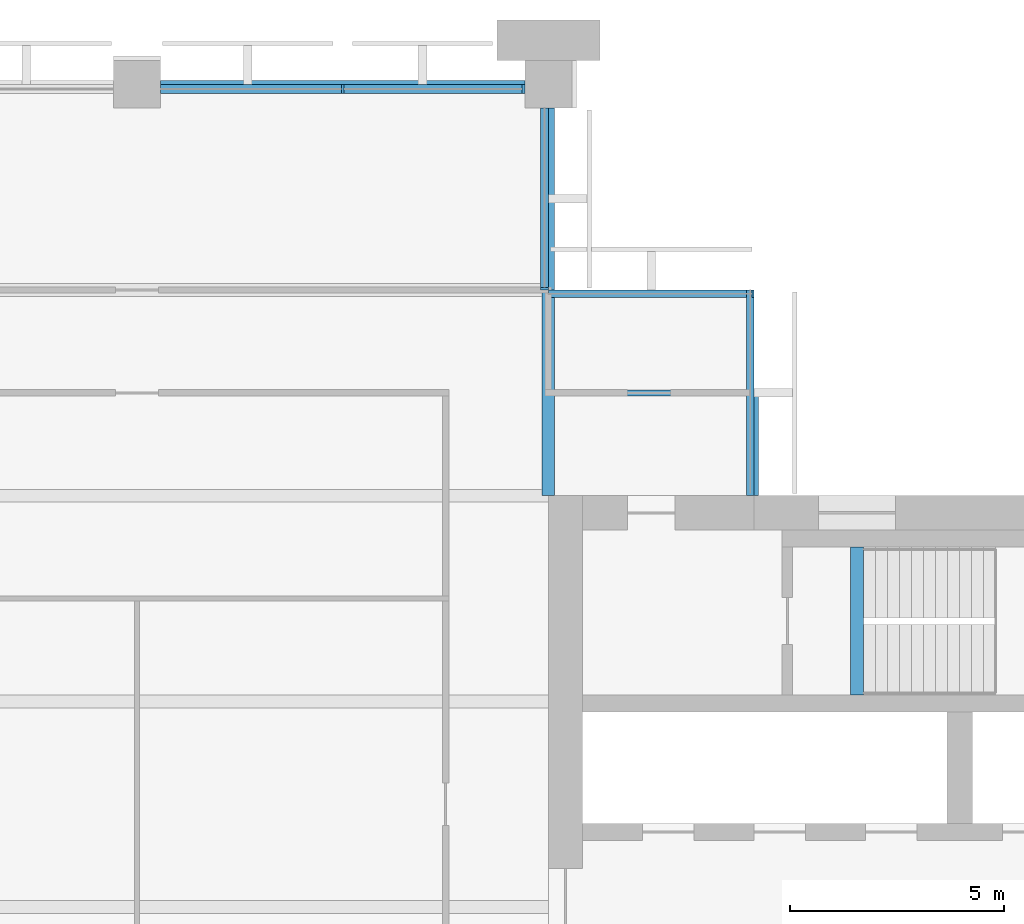
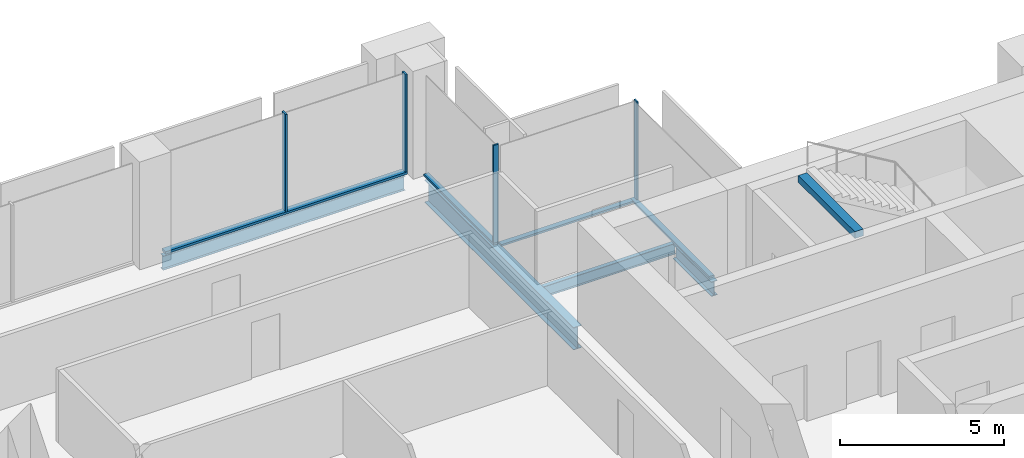
# One storey, part 6 of 13: 8 members, 5 beams, 4 elements without a shape of their own.
"""IFC4 building model written with IfcOpenShell, lengths in metres."""

from ifc_helpers import new_model, si_unit, direction, frame, origin, origin_2d, place, context, subcontext, project, spatial, rectangle, i_section, extrude, material, material_profile, profile_set, type_object, element, aggregate, save


model = new_model("IFC4")

# Units and contexts
model_context = context("Model", 3, precision=1e-05, world=origin(), true_north=direction((0.0, 1.0)))
body_context = subcontext(model_context, "Body", "Model", "MODEL_VIEW")
ifc_project = project(units=[si_unit("LENGTHUNIT", "METRE"), si_unit("AREAUNIT", "SQUARE_METRE"), si_unit("VOLUMEUNIT", "CUBIC_METRE"), si_unit("PLANEANGLEUNIT", "RADIAN"), si_unit("MASSUNIT", "GRAM", prefix="KILO")], contexts=[model_context])

# Site, building, storey
site_placement = place(None, origin())
site = spatial("IfcSite", under=ifc_project, at=site_placement, CompositionType="ELEMENT")
building_placement = place(site_placement, origin())
building = spatial("IfcBuilding", under=site, at=building_placement, Name="Baori Bourse Tower", CompositionType="ELEMENT")
storey_placement = place(building_placement, frame((0.0, 0.0, 261.199951171875)))
storey = spatial("IfcBuildingStorey", under=building, at=storey_placement, Name="L58", CompositionType="ELEMENT", Elevation=261.199951171875)

# Curtain wall, member
ifc_material_1 = material(Name="Pale anodised aluminium", Category="aluminium")
curtain_wall_type_1 = type_object("IfcCurtainWallType", Name="CW2 Curtain wall", PredefinedType="NOTDEFINED", material=ifc_material_1)
curtain_wall_1_placement = place(storey_placement, origin())
curtain_wall_1 = element("IfcCurtainWall", 1, at=curtain_wall_1_placement, inside=storey, type_object=curtain_wall_type_1, Name="Curtain wall CW2 L58 2", PredefinedType="NOTDEFINED")
ifc_material_2 = material(Name="Pale anodised aluminium", Category="aluminium")
ifc_material_profile_1 = material_profile(ifc_material_2, rectangle(XDim=0.179931640625, YDim=0.054931640625, at=origin_2d()), Name="Mullion 55x180")
ifc_profile_set_1 = profile_set([ifc_material_profile_1], Name="Pale anodised aluminium")
member_type_1 = type_object("IfcMemberType", Name="CW2 Curtain wall mullion", PredefinedType="MULLION", material=ifc_profile_set_1)
member_1_placement = place(storey_placement, frame((43.172607421875, 43.110107421875, 0.070068359375), z_axis=(0.0, 0.0, 1.0), x_axis=(0.0, -1.0, 0.0)))
member_1 = element("IfcMember", 2, at=member_1_placement, type_object=member_type_1, Name="Curtain wall CW2 mullion", PredefinedType="MULLION", context=body_context, shape_type="SweptSolid", body=[
    extrude(rectangle(XDim=0.179931640625, YDim=0.054931640625, at=origin_2d()), origin(), (0.0, 0.0, 1.0), 3.6298828125),
])

curtain_wall_2_placement = place(storey_placement, origin())
curtain_wall_2 = element("IfcCurtainWall", 3, at=curtain_wall_2_placement, inside=storey, type_object=curtain_wall_type_1, Name="Curtain wall CW2 L58 3", PredefinedType="NOTDEFINED")
member_2_placement = place(storey_placement, frame((38.31005859375, 43.2275390625, 0.070068359375), z_axis=(0.0, 0.0, 1.0), x_axis=(-1.0, 0.0, 0.0)))
member_2 = element("IfcMember", 4, at=member_2_placement, type_object=member_type_1, Name="Curtain wall CW2 mullion", PredefinedType="MULLION", context=body_context, shape_type="SweptSolid", body=[
    extrude(rectangle(XDim=0.179931640625, YDim=0.054931640625, at=origin_2d()), origin(), (0.0, 0.0, 1.0), 3.6298828125),
])

curtain_wall_3_placement = place(storey_placement, origin())
curtain_wall_3 = element("IfcCurtainWall", 5, at=curtain_wall_3_placement, inside=storey, type_object=curtain_wall_type_1, Name="Curtain wall CW2 L58 1", PredefinedType="NOTDEFINED")
ifc_material_3 = material(Name="Pale anodised aluminium", Category="aluminium")
ifc_material_profile_2 = material_profile(ifc_material_3, rectangle(XDim=0.179931640625, YDim=0.070068359375, at=origin_2d()), Name="Transom 70x180")
ifc_profile_set_2 = profile_set([ifc_material_profile_2], Name="Pale anodised aluminium")
member_type_2 = type_object("IfcMemberType", Name="CW2 Curtain wall transom", PredefinedType="USERDEFINED", material=ifc_profile_set_2)
member_3_placement = place(storey_placement, frame((43.110107421875, 38.39990234375, 0.03515625), z_axis=(0.0, 1.0, 0.0), x_axis=(-1.0, 0.0, 0.0)))
member_3 = element("IfcMember", 6, at=member_3_placement, type_object=member_type_2, Name="Curtain wall CW2 sill rail", ObjectType="TRANSOM", PredefinedType="USERDEFINED", context=body_context, shape_type="SweptSolid", body=[
    extrude(rectangle(XDim=0.179931640625, YDim=0.070068359375, at=origin_2d()), origin(), (0.0, 0.0, 1.0), 4.800048828125),
])
aggregate(curtain_wall_3, [member_3])

# Member
member_4_placement = place(storey_placement, frame((43.199951171875, 43.110107421875, 0.03515625), z_axis=(-1.0, 0.0, 0.0), x_axis=(0.0, -1.0, 0.0)))
member_4 = element("IfcMember", 7, at=member_4_placement, type_object=member_type_2, Name="Curtain wall CW2 sill rail", ObjectType="TRANSOM", PredefinedType="USERDEFINED", context=body_context, shape_type="SweptSolid", body=[
    extrude(rectangle(XDim=0.179931640625, YDim=0.070068359375, at=origin_2d()), origin(), (0.0, 0.0, 1.0), 4.800048828125),
])

aggregate(curtain_wall_1, [member_4, member_1])

member_5_placement = place(storey_placement, frame((38.31005859375, 43.199951171875, 0.03515625), z_axis=(0.0, 1.0, 0.0), x_axis=(-1.0, 0.0, 0.0)))
member_5 = element("IfcMember", 8, at=member_5_placement, type_object=member_type_2, Name="Curtain wall CW2 sill rail", ObjectType="TRANSOM", PredefinedType="USERDEFINED", context=body_context, shape_type="SweptSolid", body=[
    extrude(rectangle(XDim=0.179931640625, YDim=0.070068359375, at=origin_2d()), origin(), (0.0, 0.0, 1.0), 4.25),
])

aggregate(curtain_wall_2, [member_5, member_2])

# Curtain wall, members
ifc_material_4 = material(Name="Pale anodised aluminium", Category="aluminium")
curtain_wall_type_2 = type_object("IfcCurtainWallType", Name="CW5 Curtain wall", PredefinedType="NOTDEFINED", material=ifc_material_4)
curtain_wall_4_placement = place(storey_placement, origin())
curtain_wall_4 = element("IfcCurtainWall", 9, at=curtain_wall_4_placement, inside=storey, type_object=curtain_wall_type_2, Name="Curtain wall CW5 L58 4", PredefinedType="NOTDEFINED")
ifc_material_5 = material(Name="Pale anodised aluminium", Category="aluminium")
ifc_material_profile_3 = material_profile(ifc_material_5, rectangle(XDim=0.219970703125, YDim=0.06494140625, at=origin_2d()), Name="Mullion 65x220")
ifc_profile_set_3 = profile_set([ifc_material_profile_3], Name="Pale anodised aluminium")
member_type_3 = type_object("IfcMemberType", Name="CW5 Curtain wall mullion", PredefinedType="MULLION", material=ifc_profile_set_3)
member_6_placement = place(storey_placement, frame((37.8173828125, 47.889892578125, 0.0849609375), z_axis=(0.0, 0.0, 1.0), x_axis=(0.0, -1.0, 0.0)))
member_6 = element("IfcMember", 10, at=member_6_placement, type_object=member_type_3, Name="Curtain wall CW5 mullion", PredefinedType="MULLION", context=body_context, shape_type="SweptSolid", body=[
    extrude(rectangle(XDim=0.219970703125, YDim=0.06494140625, at=origin_2d()), origin(), (0.0, 0.0, 1.0), 3.614990234375),
])
member_7_placement = place(storey_placement, frame((33.60009765625, 47.889892578125, 0.0849609375), z_axis=(0.0, 0.0, 1.0), x_axis=(0.0, -1.0, 0.0)))
member_7 = element("IfcMember", 11, at=member_7_placement, type_object=member_type_3, Name="Curtain wall CW5 mullion", PredefinedType="MULLION", context=body_context, shape_type="SweptSolid", body=[
    extrude(rectangle(XDim=0.219970703125, YDim=0.06494140625, at=origin_2d()), origin(), (0.0, 0.0, 1.0), 3.614990234375),
])
ifc_material_6 = material(Name="Pale anodised aluminium", Category="aluminium")
ifc_material_profile_4 = material_profile(ifc_material_6, rectangle(XDim=0.219970703125, YDim=0.0849609375, at=origin_2d()), Name="Transom 85x220")
ifc_profile_set_4 = profile_set([ifc_material_profile_4], Name="Pale anodised aluminium")
member_type_4 = type_object("IfcMemberType", Name="CW5 Curtain wall transom", PredefinedType="USERDEFINED", material=ifc_profile_set_4)
member_8_placement = place(storey_placement, frame((37.85009765625, 47.889892578125, 0.04248046875), z_axis=(-1.0, 0.0, 0.0), x_axis=(0.0, -1.0, 0.0)))
member_8 = element("IfcMember", 12, at=member_8_placement, type_object=member_type_4, Name="Curtain wall CW5 sill rail", ObjectType="TRANSOM", PredefinedType="USERDEFINED", context=body_context, shape_type="SweptSolid", body=[
    extrude(rectangle(XDim=0.219970703125, YDim=0.0849609375, at=origin_2d()), origin(), (0.0, 0.0, 1.0), 8.5),
])
aggregate(curtain_wall_4, [member_8, member_6, member_7])

# Beams
ifc_material_7 = material(Name="Steel A992 Gr 50", Category="steel")
ifc_material_profile_5 = material_profile(ifc_material_7, i_section(OverallWidth=0.21240234375, OverallDepth=0.54345703125, WebThickness=0.01318359375, FlangeThickness=0.021240234375, at=origin_2d()), Name="W21x83")
ifc_profile_set_5 = profile_set([ifc_material_profile_5], Name="Steel A992 Gr 50")
beam_type_1 = type_object("IfcBeamType", Name="Core bracket W21x83", PredefinedType="BEAM", material=ifc_profile_set_5)
beam_1_placement = place(storey_placement, frame((43.199951171875, 38.39990234375, -0.431640625), z_axis=(0.0, 1.0, 0.0), x_axis=(-1.0, 0.0, 0.0)))
element("IfcBeam", 13, at=beam_1_placement, inside=storey, type_object=beam_type_1, Name="Core bracket L58", PredefinedType="BEAM", context=body_context, shape_type="SweptSolid", body=[
    extrude(i_section(OverallWidth=0.21240234375, OverallDepth=0.54345703125, WebThickness=0.01318359375, FlangeThickness=0.021240234375, at=origin_2d()), origin(), (0.0, 0.0, 1.0), 2.329833984375),
])
ifc_material_8 = material(Name="Steel A992 Gr 50", Category="steel")
ifc_material_profile_6 = material_profile(ifc_material_8, i_section(OverallWidth=0.1650390625, OverallDepth=0.52587890625, WebThickness=0.0087890625, FlangeThickness=0.011474609375, at=origin_2d()), Name="W21x44")
ifc_profile_set_6 = profile_set([ifc_material_profile_6], Name="Steel A992 Gr 50")
beam_type_2 = type_object("IfcBeamType", Name="Edge beam W21x44", PredefinedType="BEAM", material=ifc_profile_set_6)
beam_2_placement = place(storey_placement, frame((29.35009765625, 48.0, -0.4228515625), z_axis=(1.0, 0.0, 0.0), x_axis=(0.0, 1.0, 0.0)))
element("IfcBeam", 14, at=beam_2_placement, inside=storey, type_object=beam_type_2, Name="Edge beam L58", PredefinedType="BEAM", context=body_context, shape_type="SweptSolid", body=[
    extrude(i_section(OverallWidth=0.1650390625, OverallDepth=0.52587890625, WebThickness=0.0087890625, FlangeThickness=0.011474609375, at=origin_2d()), origin(), (0.0, 0.0, 1.0), 8.5),
])
ifc_material_9 = material(Name="Steel A992 Gr 50", Category="steel")
ifc_material_profile_7 = material_profile(ifc_material_9, i_section(OverallWidth=0.2919921875, OverallDepth=0.835693359375, WebThickness=0.013916015625, FlangeThickness=0.018798828125, at=origin_2d()), Name="W33x118")
ifc_profile_set_7 = profile_set([ifc_material_profile_7], Name="Steel A992 Gr 50")
beam_type_3 = type_object("IfcBeamType", Name="Girder W33x118", PredefinedType="BEAM", material=ifc_profile_set_7)
beam_3_placement = place(storey_placement, frame((38.39990234375, 38.39990234375, -0.577880859375), z_axis=(0.0, 1.0, 0.0), x_axis=(-1.0, 0.0, 0.0)))
element("IfcBeam", 15, at=beam_3_placement, inside=storey, type_object=beam_type_3, Name="Girder L58", PredefinedType="BEAM", context=body_context, shape_type="SweptSolid", body=[
    extrude(i_section(OverallWidth=0.2919921875, OverallDepth=0.835693359375, WebThickness=0.013916015625, FlangeThickness=0.018798828125, at=origin_2d()), origin(), (0.0, 0.0, 1.0), 9.050048828125),
])
ifc_material_10 = material(Name="Concrete f'c 50 MPa", Category="concrete")
ifc_material_profile_8 = material_profile(ifc_material_10, rectangle(XDim=0.300048828125, YDim=0.25, at=origin_2d()), Name="RC 300x250")
ifc_profile_set_8 = profile_set([ifc_material_profile_8], Name="Concrete f'c 50 MPa")
beam_type_4 = type_object("IfcBeamType", Name="Stair nib beam RC 300x250", PredefinedType="BEAM", material=ifc_profile_set_8)
beam_4_placement = place(storey_placement, frame((45.60009765625, 33.75, 3.574951171875), z_axis=(0.0, 1.0, 0.0), x_axis=(-1.0, 0.0, 0.0)))
element("IfcBeam", 16, at=beam_4_placement, inside=storey, type_object=beam_type_4, Name="Stair EB nib beam L59", PredefinedType="BEAM", context=body_context, shape_type="SweptSolid", body=[
    extrude(rectangle(XDim=0.300048828125, YDim=0.25, at=origin_2d()), origin(), (0.0, 0.0, 1.0), 3.449951171875),
])
ifc_material_11 = material(Name="Steel A992 Gr 50", Category="steel")
ifc_material_profile_9 = material_profile(ifc_material_11, i_section(OverallWidth=0.140380859375, OverallDepth=0.40380859375, WebThickness=0.007080078125, FlangeThickness=0.01123046875, at=origin_2d()), Name="W16x31")
ifc_profile_set_9 = profile_set([ifc_material_profile_9], Name="Steel A992 Gr 50")
beam_type_5 = type_object("IfcBeamType", Name="Trimmer beam W16x31", PredefinedType="BEAM", material=ifc_profile_set_9)
beam_5_placement = place(storey_placement, frame((38.546142578125, 40.800048828125, -0.36181640625), z_axis=(1.0, 0.0, 0.0), x_axis=(0.0, 1.0, 0.0)))
element("IfcBeam", 17, at=beam_5_placement, inside=storey, type_object=beam_type_5, Name="Trimmer beam L58", PredefinedType="BEAM", context=body_context, shape_type="SweptSolid", body=[
    extrude(i_section(OverallWidth=0.140380859375, OverallDepth=0.40380859375, WebThickness=0.007080078125, FlangeThickness=0.01123046875, at=origin_2d()), origin(), (0.0, 0.0, 1.0), 4.65380859375),
])

save(model, "model.ifc")
